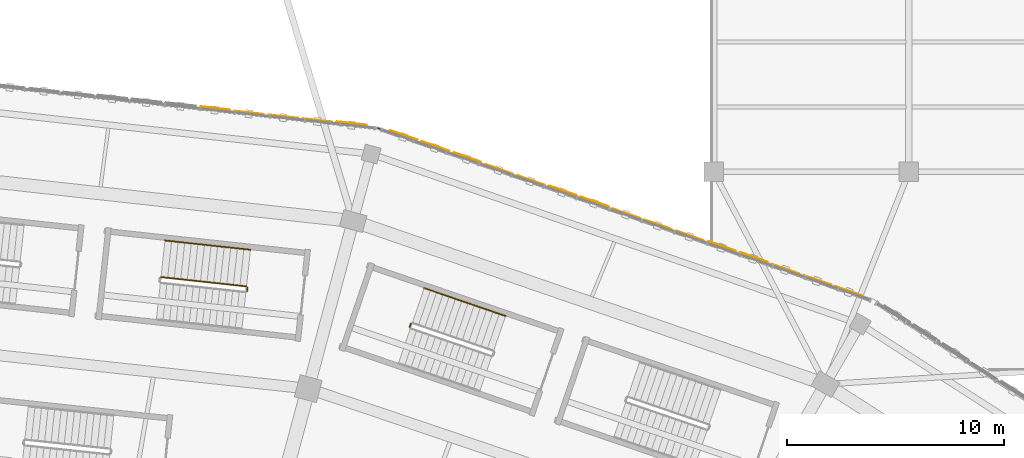
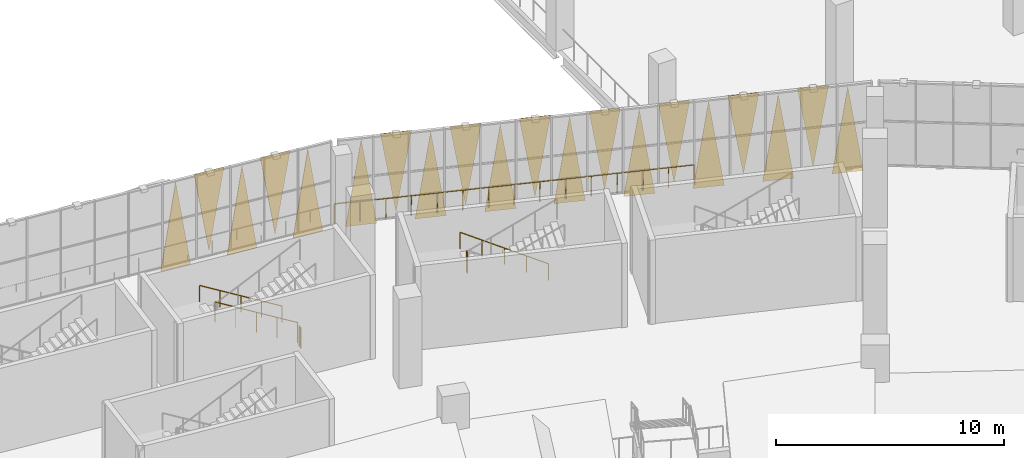
# One storey, part 178 of 183: 20 coverings, 6 railings.
"""IFC4 building model written with IfcOpenShell, lengths in metres."""

import ifcopenshell
import ifcopenshell.guid

model = None  # the IFC model being written
_history = None  # IfcOwnerHistory: only IFC2X3 demands one
_inside = {}  # id of a spatial element -> (the spatial element, [elements in it])
_under = {}  # id of a project, library or spatial element -> (it, [spatial elements below it])
_declared = {}  # id of a project -> (the project, [libraries it declares])
_typed = {}  # id of a type object -> (the type object, [elements of that type])
_made_of = {}  # id of a material, layer set ... -> (it, [elements and type objects made of it])


def new_model(schema):
    """Start an empty IFC model of exactly this schema.

    Asked for "IFC4X3", IfcOpenShell would pick the latest addendum, in which some entities
    have other attributes; the version numbers below select the first issue.
    IFC2X3 requires an IfcOwnerHistory on every rooted entity: one is made here for all.
    """
    global model, _history
    if schema == "IFC4X3":
        model = ifcopenshell.file(schema_version=(4, 3, 0, 0))
    else:
        model = ifcopenshell.file(schema=schema)
    _inside.clear()
    _under.clear()
    _declared.clear()
    _typed.clear()
    _made_of.clear()
    _history = None
    if model.schema == "IFC2X3":
        org = make("IfcOrganization", Name="unknown")
        user = make(
            "IfcPersonAndOrganization",
            ThePerson=make("IfcPerson", FamilyName="unknown"),
            TheOrganization=org,
        )
        app = make(
            "IfcApplication",
            ApplicationDeveloper=org,
            Version="unknown",
            ApplicationFullName="unknown",
            ApplicationIdentifier="unknown",
        )
        _history = make(
            "IfcOwnerHistory",
            OwningUser=user,
            OwningApplication=app,
            ChangeAction="ADDED",
            CreationDate=0,
        )
    return model


def make(cls, **values):
    """One entity of the class cls with the attributes given. An attribute that is None is left unset."""
    return model.create_entity(
        cls, **{name: value for name, value in values.items() if value is not None}
    )


def rooted(cls, **values):
    """An entity with a GlobalId (a new one), such as an element, a storey or a relation."""
    return make(cls, GlobalId=ifcopenshell.guid.new(), OwnerHistory=_history, **values)


def si_unit(unit_type, name, prefix=None):
    """IfcSIUnit, for example si_unit("LENGTHUNIT", "METRE", prefix="MILLI")."""
    return make("IfcSIUnit", UnitType=unit_type, Prefix=prefix, Name=name)


def assignment(units):
    """IfcUnitAssignment: the units of a project."""
    return None if units is None else make("IfcUnitAssignment", Units=units)


def point(xyz):
    """IfcCartesianPoint."""
    return None if xyz is None else make("IfcCartesianPoint", Coordinates=xyz)


def direction(xyz):
    """IfcDirection."""
    return None if xyz is None else make("IfcDirection", DirectionRatios=xyz)


def frame(location, z_axis=None, x_axis=None):
    """IfcAxis2Placement3D, a coordinate frame: its origin and axes. An axis left out is left unset."""
    return make(
        "IfcAxis2Placement3D",
        Location=point(location),
        Axis=direction(z_axis),
        RefDirection=direction(x_axis),
    )


def frame_2d(location, x_axis=None):
    """IfcAxis2Placement2D, a coordinate frame in the plane: its origin and x axis."""
    return make(
        "IfcAxis2Placement2D", Location=point(location), RefDirection=direction(x_axis)
    )


def origin():
    """The frame at (0, 0, 0) with its axes left unset."""
    return frame((0.0, 0.0, 0.0))


def origin_2d():
    """The frame at (0, 0) in the plane with its x axis left unset."""
    return frame_2d((0.0, 0.0))


def place(relative_to, where):
    """IfcLocalPlacement: puts the frame where relative to a parent placement (None: the world)."""
    return make(
        "IfcLocalPlacement", PlacementRelTo=relative_to, RelativePlacement=where
    )


def context(
    kind, dimensions, precision=None, world=None, true_north=None, identifier=None
):
    """IfcGeometricRepresentationContext, for example the 3D "Model" context."""
    return make(
        "IfcGeometricRepresentationContext",
        ContextIdentifier=identifier,
        ContextType=kind,
        CoordinateSpaceDimension=dimensions,
        Precision=precision,
        WorldCoordinateSystem=world,
        TrueNorth=true_north,
    )


def subcontext(parent, identifier, kind, view, scale=None):
    """IfcGeometricRepresentationSubContext, for example "Body" below "Model"."""
    return make(
        "IfcGeometricRepresentationSubContext",
        ContextIdentifier=identifier,
        ContextType=kind,
        ParentContext=parent,
        TargetScale=scale,
        TargetView=view,
    )


def project(units=None, contexts=None):
    """IfcProject with its units and contexts."""
    return rooted(
        "IfcProject",
        Name="project",
        RepresentationContexts=contexts,
        UnitsInContext=assignment(units),
    )


def spatial(cls, under=None, at=None, **own):
    """A site, building, storey or space (cls), placed at a placement, below another one or the project."""
    s = rooted(cls, ObjectPlacement=at, **own)
    if under is not None:
        _under.setdefault(under.id(), (under, []))[1].append(s)
    return s


def polyline(points):
    """IfcPolyline through the points."""
    return make("IfcPolyline", Points=[point(p) for p in points])


def profile(cls, at=None, kind="AREA", **sizes):
    """A parametric profile (cls). Its sizes go by their IFC names, for example OverallWidth=200.0."""
    return make(cls, ProfileType=kind, Position=at, **sizes)


def circle(**sizes):
    """IfcCircleProfileDef."""
    return profile("IfcCircleProfileDef", **sizes)


def outline(outer, holes=None, kind="AREA"):
    """IfcArbitraryClosedProfileDef: a profile drawn as a closed curve; with holes, ...WithVoids."""
    if holes is None:
        return make("IfcArbitraryClosedProfileDef", ProfileType=kind, OuterCurve=outer)
    return make(
        "IfcArbitraryProfileDefWithVoids",
        ProfileType=kind,
        OuterCurve=outer,
        InnerCurves=holes,
    )


def extrude(swept, where, along, depth):
    """IfcExtrudedAreaSolid: the profile swept, set in the frame where, extruded along a direction by depth."""
    return make(
        "IfcExtrudedAreaSolid",
        SweptArea=swept,
        Position=where,
        ExtrudedDirection=direction(along),
        Depth=depth,
    )


def shape(context_of_items, identifier, shape_type, items):
    """IfcShapeRepresentation: the items that make up one representation, for example the "Body"."""
    return make(
        "IfcShapeRepresentation",
        ContextOfItems=context_of_items,
        RepresentationIdentifier=identifier,
        RepresentationType=shape_type,
        Items=items,
    )


def material(Name=None, Category=None):
    """IfcMaterial."""
    return make("IfcMaterial", Name=Name, Category=Category)


def layer(
    of_material, thickness, ventilated=None, Name=None, Category=None, Priority=None
):
    """IfcMaterialLayer: one layer of a wall or slab, of a material (None: an air gap)."""
    return make(
        "IfcMaterialLayer",
        Material=of_material,
        LayerThickness=thickness,
        IsVentilated=ventilated,
        Name=Name,
        Category=Category,
        Priority=Priority,
    )


def layer_set(layers, Name=None):
    """IfcMaterialLayerSet."""
    return make("IfcMaterialLayerSet", MaterialLayers=layers, LayerSetName=Name)


def made_of(thing, what):
    """Note that an element or type object is made of a material, layer set ...; save() writes the relation."""
    if what is not None:
        _made_of.setdefault(what.id(), (what, []))[1].append(thing)
    return thing


def type_object(cls, material=None, **own):
    """A type object (cls), such as IfcWallType, which elements share."""
    return made_of(rooted(cls, **own), material)


def element(
    cls,
    number,
    at=None,
    inside=None,
    cuts=None,
    type_object=None,
    material=None,
    context=None,
    identifier="Body",
    shape_type=None,
    held_by="IfcProductDefinitionShape",
    body=None,
    shapes=None,
    **own,
):
    """One element of the class cls, such as IfcWall. Its Tag is "e" and its number.

    at: its placement. inside: the storey or other place that contains it. cuts: it is an
    opening in that element (IfcRelVoidsElement). A single representation is given by context,
    identifier, shape_type and body (its items); several are given by shapes. held_by: the class
    of the entity that holds the representations. save() writes the other relations.
    """
    e = rooted(cls, Tag="e%d" % number, ObjectPlacement=at, **own)
    if body is not None:
        shapes = [shape(context, identifier, shape_type, body)]
    if shapes is not None:
        e.Representation = make(held_by, Representations=shapes)
    if inside is not None:
        _inside.setdefault(inside.id(), (inside, []))[1].append(e)
    if cuts is not None:
        rooted(
            "IfcRelVoidsElement", RelatingBuildingElement=cuts, RelatedOpeningElement=e
        )
    if type_object is not None:
        _typed.setdefault(type_object.id(), (type_object, []))[1].append(e)
    return made_of(e, material)


def aggregate(whole, parts):
    """IfcRelAggregates: a whole, such as a stair, and the parts it consists of."""
    return rooted("IfcRelAggregates", RelatingObject=whole, RelatedObjects=parts)


def save(model, path):
    """Write the relations noted so far, then the file.

    IfcRelAggregates (storeys below a building ...), IfcRelContainedInSpatialStructure (elements
    in a storey), IfcRelDefinesByType, IfcRelAssociatesMaterial and IfcRelDeclares: one each for
    every whole, place, type object, material and project.
    """
    for whole, parts in _under.values():
        aggregate(whole, parts)
    for where, things in _inside.values():
        rooted(
            "IfcRelContainedInSpatialStructure",
            RelatedElements=things,
            RelatingStructure=where,
        )
    for kind, things in _typed.values():
        rooted("IfcRelDefinesByType", RelatedObjects=things, RelatingType=kind)
    for what, things in _made_of.values():
        rooted("IfcRelAssociatesMaterial", RelatedObjects=things, RelatingMaterial=what)
    for by, libraries in _declared.values():
        rooted("IfcRelDeclares", RelatingContext=by, RelatedDefinitions=libraries)
    model.write(path)


model = new_model("IFC4")

# Units and contexts
model_context = context("Model", 3, precision=1e-05, world=origin(), true_north=direction((0.0, 1.0)))
body_context = subcontext(model_context, "Body", "Model", "MODEL_VIEW")
ifc_project = project(units=[si_unit("LENGTHUNIT", "METRE"), si_unit("AREAUNIT", "SQUARE_METRE"), si_unit("VOLUMEUNIT", "CUBIC_METRE"), si_unit("PLANEANGLEUNIT", "RADIAN"), si_unit("MASSUNIT", "GRAM", prefix="KILO")], contexts=[model_context])

# Site, building, storey
site_placement = place(None, origin())
site = spatial("IfcSite", under=ifc_project, at=site_placement, CompositionType="ELEMENT")
building_placement = place(site_placement, origin())
building = spatial("IfcBuilding", under=site, at=building_placement, Name="Zevraka Park Crest Stadium", CompositionType="ELEMENT")
storey_placement = place(building_placement, frame((0.0, 0.0, 5.39990234375)))
storey = spatial("IfcBuildingStorey", under=building, at=storey_placement, Name="L01", CompositionType="ELEMENT", Elevation=5.39990234375)

# Coverings
ifc_material_1 = material(Name="Architectural golden-bronze perforated aluminium", Category="aluminium")
ifc_layer = layer(ifc_material_1, 0.034912109375)
ifc_layer_set = layer_set([ifc_layer], Name="Architectural golden-bronze perforated aluminium")
covering_type = type_object("IfcCoveringType", Name="CLD01", PredefinedType="CLADDING", material=ifc_layer_set)
covering_1_placement = place(storey_placement, frame((158.89990234375, 161.282958984375, -0.260009765625), z_axis=(0.329742260213, 0.944070993413, 3.5000771e-05), x_axis=(-0.944070993992, 0.329742260415, 0.0)))
element("IfcCovering", 1, at=covering_1_placement, inside=storey, type_object=covering_type, Name="Triangular Golden-Bronze Perforated Cladding L01-04-1", PredefinedType="CLADDING", context=body_context, shape_type="SweptSolid", body=[
    extrude(outline(polyline([(0.0, 0.0), (1.394910488333225, 0.0), (0.6979162163316475, 4.600097659067684), (0.0, 0.0)])), origin(), (0.0, 0.0, -1.0), 0.034912109375),
])
covering_2_placement = place(storey_placement, frame((156.114990234375, 162.25390625, 4.5), z_axis=(0.329118071949, 0.944288766008, 0.000145283153), x_axis=(0.944288775974, -0.329118075423, 0.0)))
element("IfcCovering", 2, at=covering_2_placement, inside=storey, type_object=covering_type, Name="Triangular Golden-Bronze Perforated Cladding L01-04-2", PredefinedType="CLADDING", context=body_context, shape_type="SweptSolid", body=[
    extrude(outline(polyline([(0.0, 0.0), (1.394588779149717, 0.0), (0.6975947658934869, 4.27978520141713), (0.0, 0.0)])), origin(), (0.0, 0.0, -1.0), 0.034912109375),
])
covering_3_placement = place(storey_placement, frame((155.964111328125, 162.306884765625, -0.260009765625), z_axis=(0.329437513237, 0.944177370472, 0.000134017736), x_axis=(-0.944177378951, 0.329437516195, 0.0)))
element("IfcCovering", 3, at=covering_3_placement, inside=storey, type_object=covering_type, Name="Triangular Golden-Bronze Perforated Cladding L01-04-3", PredefinedType="CLADDING", context=body_context, shape_type="SweptSolid", body=[
    extrude(outline(polyline([(0.0, 0.0), (1.3939775922580644, 0.0), (0.6969029794539805, 4.60009769756061), (0.0, 0.0)])), origin(), (0.0, 0.0, -1.0), 0.034912109375),
])
covering_4_placement = place(storey_placement, frame((153.179931640625, 163.278076171875, 4.5), z_axis=(-0.329063673476, -0.944307722555, 0.000154664839), x_axis=(0.94430773385, -0.329063677412, 0.0)))
element("IfcCovering", 4, at=covering_4_placement, inside=storey, type_object=covering_type, Name="Triangular Golden-Bronze Perforated Cladding L01-04-4", PredefinedType="CLADDING", context=body_context, shape_type="SweptSolid", body=[
    extrude(outline(polyline([(0.0, 0.0), (1.3948193207160489, 0.0), (0.6969939762809247, -4.279785207438826), (0.0, 0.0)])), origin(), (0.0, 0.0, -1.0), 0.034912109375),
])
covering_5_placement = place(storey_placement, frame((153.029052734375, 163.330078125, -0.260009765625), z_axis=(-0.329281368902, -0.944231840292, 0.000108964248), x_axis=(-0.944231845897, 0.329281370856, 0.0)))
element("IfcCovering", 5, at=covering_5_placement, inside=storey, type_object=covering_type, Name="Triangular Golden-Bronze Perforated Cladding L01-04-5", PredefinedType="CLADDING", context=body_context, shape_type="SweptSolid", body=[
    extrude(outline(polyline([(0.0, 0.0), (1.3938971822371224, 6.776263578034403e-21), (0.6969941103614237, -4.600097683558957), (0.0, 0.0)])), origin(), (0.0, 0.0, -1.0), 0.034912109375),
])
covering_6_placement = place(storey_placement, frame((150.2451171875, 164.301025390625, 4.5), z_axis=(0.329335834581, 0.94421284489, 0.000107725367), x_axis=(0.944212850369, -0.329335836492, 0.0)))
element("IfcCovering", 6, at=covering_6_placement, inside=storey, type_object=covering_type, Name="Triangular Golden-Bronze Perforated Cladding L01-04-6", PredefinedType="CLADDING", context=body_context, shape_type="SweptSolid", body=[
    extrude(outline(polyline([(0.0, 0.0), (1.3936666592027187, 0.0), (0.696672521087447, 4.2797851810829295), (0.0, 0.0)])), origin(), (0.0, 0.0, -1.0), 0.034912109375),
])
covering_7_placement = place(storey_placement, frame((150.093994140625, 164.35400390625, -0.260009765625), z_axis=(0.329118074721, 0.944288773961, 6.5297813e-05), x_axis=(-0.944288775974, 0.329118075423, 0.0)))
element("IfcCovering", 7, at=covering_7_placement, inside=storey, type_object=covering_type, Name="Triangular Golden-Bronze Perforated Cladding L01-04-7", PredefinedType="CLADDING", context=body_context, shape_type="SweptSolid", body=[
    extrude(outline(polyline([(0.0, 0.0), (1.394588779149717, -3.3881317890172014e-21), (0.6966726088857, 4.600097666056959), (0.0, 0.0)])), origin(), (0.0, 0.0, -1.0), 0.034912109375),
])
covering_8_placement = place(storey_placement, frame((147.31005859375, 165.324951171875, 4.5), z_axis=(0.329960333753, 0.943994797734, 0.0), x_axis=(0.943994797734, -0.329960333753, 0.0)))
element("IfcCovering", 8, at=covering_8_placement, inside=storey, type_object=covering_type, Name="Triangular Golden-Bronze Perforated Cladding L01-04-8", PredefinedType="CLADDING", context=body_context, shape_type="SweptSolid", body=[
    extrude(outline(polyline([(0.0, 0.0), (1.3939885811960602, 0.0), (0.6969942905980301, 4.27978515625), (0.0, 0.0)])), origin(), (0.0, 0.0, -1.0), 0.034912109375),
])
covering_9_placement = place(storey_placement, frame((147.158935546875, 165.376953125, -0.260009765625), z_axis=(-0.329118074721, -0.944288773961, 6.5297813e-05), x_axis=(-0.944288775974, 0.329118075423, 0.0)))
element("IfcCovering", 9, at=covering_9_placement, inside=storey, type_object=covering_type, Name="Triangular Golden-Bronze Perforated Cladding L01-04-9", PredefinedType="CLADDING", context=body_context, shape_type="SweptSolid", body=[
    extrude(outline(polyline([(0.0, 0.0), (1.394588779149717, -3.3881317890172014e-21), (0.697916170264017, -4.600097666056959), (0.0, 0.0)])), origin(), (0.0, 0.0, -1.0), 0.034912109375),
])
covering_10_placement = place(storey_placement, frame((144.375, 166.347900390625, 4.5), z_axis=(-0.329335834581, -0.94421284489, 0.000107725367), x_axis=(0.944212850369, -0.329335836492, 0.0)))
element("IfcCovering", 10, at=covering_10_placement, inside=storey, type_object=covering_type, Name="Triangular Golden-Bronze Perforated Cladding L01-04-10", PredefinedType="CLADDING", context=body_context, shape_type="SweptSolid", body=[
    extrude(outline(polyline([(0.0, 0.0), (1.3936666592027187, 0.0), (0.6969941381152717, -4.2797851810829295), (0.0, 0.0)])), origin(), (0.0, 0.0, -1.0), 0.034912109375),
])
covering_11_placement = place(storey_placement, frame((144.222900390625, 166.40087890625, -0.260009765625), z_axis=(0.329491998785, 0.944158359092, 0.000125273108), x_axis=(-0.9441583665, 0.329492001371, 0.0)))
element("IfcCovering", 11, at=covering_11_placement, inside=storey, type_object=covering_type, Name="Triangular Golden-Bronze Perforated Cladding L01-04-11", PredefinedType="CLADDING", context=body_context, shape_type="SweptSolid", body=[
    extrude(outline(polyline([(0.0, 0.0), (1.3937470825233202, -6.776263578034403e-21), (0.6966724353037923, 4.600097692345475), (0.0, 0.0)])), origin(), (0.0, 0.0, -1.0), 0.034912109375),
])
covering_12_placement = place(storey_placement, frame((141.43896484375, 167.37109375, 4.5), z_axis=(0.329063674373, 0.94430772513, 0.000135893381), x_axis=(0.94430773385, -0.329063677412, 0.0)))
element("IfcCovering", 12, at=covering_12_placement, inside=storey, type_object=covering_type, Name="Triangular Golden-Bronze Perforated Cladding L01-04-12", PredefinedType="CLADDING", context=body_context, shape_type="SweptSolid", body=[
    extrude(outline(polyline([(0.0, 0.0), (1.3948193207160489, 1.3552527156068805e-20), (0.6975948005547897, 4.2797851957674204), (0.0, 0.0)])), origin(), (0.0, 0.0, -1.0), 0.034912109375),
])
covering_13_placement = place(storey_placement, frame((141.2880859375, 167.424072265625, -0.260009765625), z_axis=(-0.329281369478, -0.944231841946, 9.1488324e-05), x_axis=(-0.944231845897, 0.329281370856, 0.0)))
element("IfcCovering", 13, at=covering_13_placement, inside=storey, type_object=covering_type, Name="Triangular Golden-Bronze Perforated Cladding L01-04-13", PredefinedType="CLADDING", context=body_context, shape_type="SweptSolid", body=[
    extrude(outline(polyline([(0.0, 0.0), (1.3938971822371224, 0.0), (0.6972246357144259, -4.60009767550167), (0.0, 0.0)])), origin(), (0.0, 0.0, -1.0), 0.034912109375),
])
covering_14_placement = place(storey_placement, frame((138.50390625, 168.39501953125, 4.5), z_axis=(-0.329063674373, -0.94430772513, 0.000135893381), x_axis=(0.94430773385, -0.329063677412, 0.0)))
element("IfcCovering", 14, at=covering_14_placement, inside=storey, type_object=covering_type, Name="Triangular Golden-Bronze Perforated Cladding L01-04-14", PredefinedType="CLADDING", context=body_context, shape_type="SweptSolid", body=[
    extrude(outline(polyline([(0.0, 0.0), (1.3948193207160489, 1.3552527156068805e-20), (0.6972245201612591, -4.2797851957674204), (0.0, 0.0)])), origin(), (0.0, 0.0, -1.0), 0.034912109375),
])
covering_15_placement = place(storey_placement, frame((138.35302734375, 168.447021484375, -0.260009765625), z_axis=(-0.329687784051, -0.944090018554, 4.3743735e-05), x_axis=(-0.944090019458, 0.329687784367, 0.0)))
element("IfcCovering", 15, at=covering_15_placement, inside=storey, type_object=covering_type, Name="Triangular Golden-Bronze Perforated Cladding L01-04-15", PredefinedType="CLADDING", context=body_context, shape_type="SweptSolid", body=[
    extrude(outline(polyline([(0.0, 0.0), (1.395140976738379, 3.3881317890172014e-21), (0.6969942615506728, -4.600097660651176), (0.0, 0.0)])), origin(), (0.0, 0.0, -1.0), 0.034912109375),
])
covering_16_placement = place(storey_placement, frame((136.009033203125, 169.138916015625, -0.260009765625), z_axis=(-0.110111996878, -0.993919175554, 0.000143563419), x_axis=(-0.993919185796, 0.110111998013, 0.0)))
element("IfcCovering", 16, at=covering_16_placement, inside=storey, type_object=covering_type, Name="Triangular Golden-Bronze Perforated Cladding L01-05-1", PredefinedType="CLADDING", context=body_context, shape_type="SweptSolid", body=[
    extrude(outline(polyline([(0.0, 0.0), (1.4256613694050126, 3.3881317890172014e-21), (0.712412579630104, -4.600097703655054), (0.0, 0.0)])), origin(), (0.0, 0.0, -1.0), 0.034912109375),
])
covering_17_placement = place(storey_placement, frame((133.01611328125, 169.470947265625, 4.5), z_axis=(0.110111996702, 0.993919173963, 0.000154308153), x_axis=(0.993919185796, -0.110111998013, 0.0)))
element("IfcCovering", 17, at=covering_17_placement, inside=storey, type_object=covering_type, Name="Triangular Golden-Bronze Perforated Cladding L01-05-2", PredefinedType="CLADDING", context=body_context, shape_type="SweptSolid", body=[
    extrude(outline(polyline([(0.0, 0.0), (1.4256613694050126, 3.3881317890172014e-21), (0.7132487897749087, 4.279785207202997), (0.0, 0.0)])), origin(), (0.0, 0.0, -1.0), 0.034912109375),
])
covering_18_placement = place(storey_placement, frame((132.85693359375, 169.489013671875, -0.260009765625), z_axis=(0.110111996878, 0.993919175554, 0.000143563419), x_axis=(-0.993919185796, 0.110111998013, 0.0)))
element("IfcCovering", 18, at=covering_18_placement, inside=storey, type_object=covering_type, Name="Triangular Golden-Bronze Perforated Cladding L01-05-3", PredefinedType="CLADDING", context=body_context, shape_type="SweptSolid", body=[
    extrude(outline(polyline([(0.0, 0.0), (1.4256613694050126, 3.3881317890172014e-21), (0.7132487897749087, 4.600097703655054), (0.0, 0.0)])), origin(), (0.0, 0.0, -1.0), 0.034912109375),
])
covering_19_placement = place(storey_placement, frame((129.864013671875, 169.820068359375, 4.5), z_axis=(0.110111997724, 0.993919183185, 7.2484585e-05), x_axis=(0.993919185796, -0.110111998013, 0.0)))
element("IfcCovering", 19, at=covering_19_placement, inside=storey, type_object=covering_type, Name="Triangular Golden-Bronze Perforated Cladding L01-05-4", PredefinedType="CLADDING", context=body_context, shape_type="SweptSolid", body=[
    extrude(outline(polyline([(0.0, 0.0), (1.4256613694050126, 1.6940658945086007e-21), (0.7123050483820446, 4.279785167493028), (0.0, 0.0)])), origin(), (0.0, 0.0, -1.0), 0.034912109375),
])
covering_20_placement = place(storey_placement, frame((129.705078125, 169.837890625, -0.260009765625), z_axis=(-0.110281163702, -0.993900425664, 9.3792513e-05), x_axis=(-0.993900430036, 0.110281164187, 0.0)))
element("IfcCovering", 20, at=covering_20_placement, inside=storey, type_object=covering_type, Name="Triangular Golden-Bronze Perforated Cladding L01-05-5", PredefinedType="CLADDING", context=body_context, shape_type="SweptSolid", body=[
    extrude(outline(polyline([(0.0, 0.0), (1.42568827286739, 3.3881317890172014e-21), (0.7133832876027493, -4.600097676483612), (0.0, 0.0)])), origin(), (0.0, 0.0, -1.0), 0.034912109375),
])

# Railings
ifc_material_2 = material(Name="Galvanised and bronze-finished steel balustrade", Category="steel")
railing_type_1 = type_object("IfcRailingType", Name="GR01", PredefinedType="GUARDRAIL", material=ifc_material_2)
railing_1_placement = place(storey_placement, frame((136.52001953125, 169.011962890625, 0.0)))
element("IfcRailing", 21, at=railing_1_placement, inside=storey, type_object=railing_type_1, Name="Deck Edge Protection Guardrail GR01 L01-9", PredefinedType="GUARDRAIL", context=body_context, shape_type="SweptSolid", body=[
    extrude(circle(Radius=0.02392578125, at=origin_2d()), frame((0.0, 0.0, 1.076171875), z_axis=(0.944256979982, -0.329209288683, 0.0), x_axis=(0.329209288683, 0.944256979982, 0.0)), (0.0, 0.0, 1.0), 16.099365234375),
    extrude(circle(Radius=0.02099609375, at=origin_2d()), origin(), (0.0, 0.0, 1.0), 1.052001953125),
    extrude(circle(Radius=0.02099609375, at=origin_2d()), frame((1.0859375, -0.378662109375, 0.0)), (0.0, 0.0, 1.0), 1.052001953125),
    extrude(circle(Radius=0.02099609375, at=origin_2d()), frame((2.171630859375, -0.757080078125, 0.0)), (0.0, 0.0, 1.0), 1.052001953125),
    extrude(circle(Radius=0.02099609375, at=origin_2d()), frame((3.257568359375, -1.1357421875, 0.0)), (0.0, 0.0, 1.0), 1.052001953125),
    extrude(circle(Radius=0.02099609375, at=origin_2d()), frame((4.343505859375, -1.514404296875, 0.0)), (0.0, 0.0, 1.0), 1.052001953125),
    extrude(circle(Radius=0.02099609375, at=origin_2d()), frame((5.42919921875, -1.892822265625, 0.0)), (0.0, 0.0, 1.0), 1.052001953125),
    extrude(circle(Radius=0.02099609375, at=origin_2d()), frame((6.51513671875, -2.271484375, 0.0)), (0.0, 0.0, 1.0), 1.052001953125),
    extrude(circle(Radius=0.02099609375, at=origin_2d()), frame((7.60107421875, -2.64990234375, 0.0)), (0.0, 0.0, 1.0), 1.052001953125),
    extrude(circle(Radius=0.02099609375, at=origin_2d()), frame((8.686767578125, -3.028564453125, 0.0)), (0.0, 0.0, 1.0), 1.052001953125),
    extrude(circle(Radius=0.02099609375, at=origin_2d()), frame((9.772705078125, -3.4072265625, 0.0)), (0.0, 0.0, 1.0), 1.052001953125),
    extrude(circle(Radius=0.02099609375, at=origin_2d()), frame((10.8583984375, -3.78564453125, 0.0)), (0.0, 0.0, 1.0), 1.052001953125),
    extrude(circle(Radius=0.02099609375, at=origin_2d()), frame((11.9443359375, -4.164306640625, 0.0)), (0.0, 0.0, 1.0), 1.052001953125),
    extrude(circle(Radius=0.02099609375, at=origin_2d()), frame((13.0302734375, -4.54296875, 0.0)), (0.0, 0.0, 1.0), 1.052001953125),
    extrude(circle(Radius=0.02099609375, at=origin_2d()), frame((14.115966796875, -4.92138671875, 0.0)), (0.0, 0.0, 1.0), 1.052001953125),
    extrude(circle(Radius=0.02099609375, at=origin_2d()), frame((15.201904296875, -5.300048828125, 0.0)), (0.0, 0.0, 1.0), 1.052001953125),
])
ifc_material_3 = material(Name="Powder-coated tubular steel stairwell guard", Category="steel")
railing_type_2 = type_object("IfcRailingType", Name="GR03", PredefinedType="GUARDRAIL", material=ifc_material_3)
railing_2_placement = place(storey_placement, frame((130.453369140625, 161.721923828125, 0.171630859375)))
element("IfcRailing", 22, at=railing_2_placement, inside=storey, type_object=railing_type_2, Name="L01 ST06 stair guard 1", PredefinedType="GUARDRAIL", context=body_context, shape_type="SweptSolid", body=[
    extrude(circle(Radius=0.02392578125, at=origin_2d()), frame((0.0, 0.0, 1.076171875), z_axis=(-0.866636892187, 0.094307012237, 0.489945593452), x_axis=(-0.108180884773, -0.994131226836, 0.0)), (0.0, 0.0, 1.0), 4.548583984375),
    extrude(circle(Radius=0.02099609375, at=origin_2d()), origin(), (0.0, 0.0, 1.0), 1.052001953125),
    extrude(circle(Radius=0.02099609375, at=origin_2d()), frame((-0.9853515625, 0.107177734375, 0.55712890625)), (0.0, 0.0, 1.0), 1.052001953125),
    extrude(circle(Radius=0.02099609375, at=origin_2d()), frame((-1.970947265625, 0.21435546875, 1.1142578125)), (0.0, 0.0, 1.0), 1.052001953125),
    extrude(circle(Radius=0.02099609375, at=origin_2d()), frame((-2.95654296875, 0.32177734375, 1.67138671875)), (0.0, 0.0, 1.0), 1.052001953125),
    extrude(circle(Radius=0.02099609375, at=origin_2d()), frame((-3.94189453125, 0.428955078125, 2.228515625)), (0.0, 0.0, 1.0), 1.052001953125),
])
railing_3_placement = place(storey_placement, frame((130.49755859375, 161.666748046875, 0.0)))
element("IfcRailing", 23, at=railing_3_placement, inside=storey, type_object=railing_type_2, Name="L01 ST06 stair guard 4", PredefinedType="GUARDRAIL", context=body_context, shape_type="SweptSolid", body=[
    extrude(circle(Radius=0.02392578125, at=origin_2d()), frame((0.0, 0.0, 1.076171875), z_axis=(-0.108255734054, -0.994123078921, 0.0), x_axis=(0.994123078921, -0.108255734054, 0.0)), (0.0, 0.0, 1.0), 0.16015625),
    extrude(circle(Radius=0.02099609375, at=origin_2d()), origin(), (0.0, 0.0, 1.0), 1.052001953125),
    extrude(circle(Radius=0.02099609375, at=origin_2d()), frame((-0.017333984375, -0.1591796875, 0.0)), (0.0, 0.0, 1.0), 1.052001953125),
])
railing_4_placement = place(storey_placement, frame((138.033203125, 160.0048828125, 2.400146484375)))
element("IfcRailing", 24, at=railing_4_placement, inside=storey, type_object=railing_type_2, Name="L01 ST25 stair guard 2", PredefinedType="GUARDRAIL", context=body_context, shape_type="SweptSolid", body=[
    extrude(circle(Radius=0.02392578125, at=origin_2d()), frame((0.0, 0.0, 1.076171875), z_axis=(-0.32354385955, -0.946213174156, 0.0), x_axis=(0.946213174156, -0.32354385955, 0.0)), (0.0, 0.0, 1.0), 0.159912109375),
    extrude(circle(Radius=0.02099609375, at=origin_2d()), origin(), (0.0, 0.0, 1.0), 1.052001953125),
    extrude(circle(Radius=0.02099609375, at=origin_2d()), frame((-0.0517578125, -0.1513671875, 0.0)), (0.0, 0.0, 1.0), 1.052001953125),
])
ifc_material_4 = material(Name="Brushed stainless steel continuous handrail", Category="steel")
railing_type_3 = type_object("IfcRailingType", Name="HR01", PredefinedType="HANDRAIL", material=ifc_material_4)
railing_5_placement = place(storey_placement, frame((130.63720703125, 163.411865234375, 0.171630859375)))
element("IfcRailing", 25, at=railing_5_placement, inside=storey, type_object=railing_type_3, Name="L01 ST06 stair handrail 1", PredefinedType="HANDRAIL", context=body_context, shape_type="SweptSolid", body=[
    extrude(circle(Radius=0.02392578125, at=origin_2d()), frame((0.0, 0.0, 0.8759765625), z_axis=(-0.866623529368, 0.094311399263, 0.489968385015), x_axis=(-0.10818750693, -0.994130506193, 0.0)), (0.0, 0.0, 1.0), 4.54833984375),
    extrude(circle(Radius=0.02099609375, at=origin_2d()), origin(), (0.0, 0.0, 1.0), 0.851806640625),
    extrude(circle(Radius=0.02099609375, at=origin_2d()), frame((-0.9853515625, 0.107177734375, 0.55712890625)), (0.0, 0.0, 1.0), 0.851806640625),
    extrude(circle(Radius=0.02099609375, at=origin_2d()), frame((-1.970703125, 0.21435546875, 1.1142578125)), (0.0, 0.0, 1.0), 0.851806640625),
    extrude(circle(Radius=0.02099609375, at=origin_2d()), frame((-2.956298828125, 0.32177734375, 1.67138671875)), (0.0, 0.0, 1.0), 0.851806640625),
    extrude(circle(Radius=0.02099609375, at=origin_2d()), frame((-3.941650390625, 0.428955078125, 2.228515625)), (0.0, 0.0, 1.0), 0.851806640625),
])
railing_6_placement = place(storey_placement, frame((142.398681640625, 160.359619140625, 0.171630859375)))
element("IfcRailing", 26, at=railing_6_placement, inside=storey, type_object=railing_type_3, Name="L01 ST25 stair handrail 1", PredefinedType="HANDRAIL", context=body_context, shape_type="SweptSolid", body=[
    extrude(circle(Radius=0.02392578125, at=origin_2d()), frame((0.0, 0.0, 0.8759765625), z_axis=(-0.824726794133, 0.282441418206, 0.489951589772), x_axis=(-0.32399372979, -0.946059228091, 0.0)), (0.0, 0.0, 1.0), 4.54833984375),
    extrude(circle(Radius=0.02099609375, at=origin_2d()), origin(), (0.0, 0.0, 1.0), 0.851806640625),
    extrude(circle(Radius=0.02099609375, at=origin_2d()), frame((-0.937744140625, 0.3212890625, 0.55712890625)), (0.0, 0.0, 1.0), 0.851806640625),
    extrude(circle(Radius=0.02099609375, at=origin_2d()), frame((-1.87548828125, 0.642333984375, 1.1142578125)), (0.0, 0.0, 1.0), 0.851806640625),
    extrude(circle(Radius=0.02099609375, at=origin_2d()), frame((-2.8134765625, 0.96337890625, 1.67138671875)), (0.0, 0.0, 1.0), 0.851806640625),
    extrude(circle(Radius=0.02099609375, at=origin_2d()), frame((-3.751220703125, 1.28466796875, 2.228515625)), (0.0, 0.0, 1.0), 0.851806640625),
])

save(model, "model.ifc")
